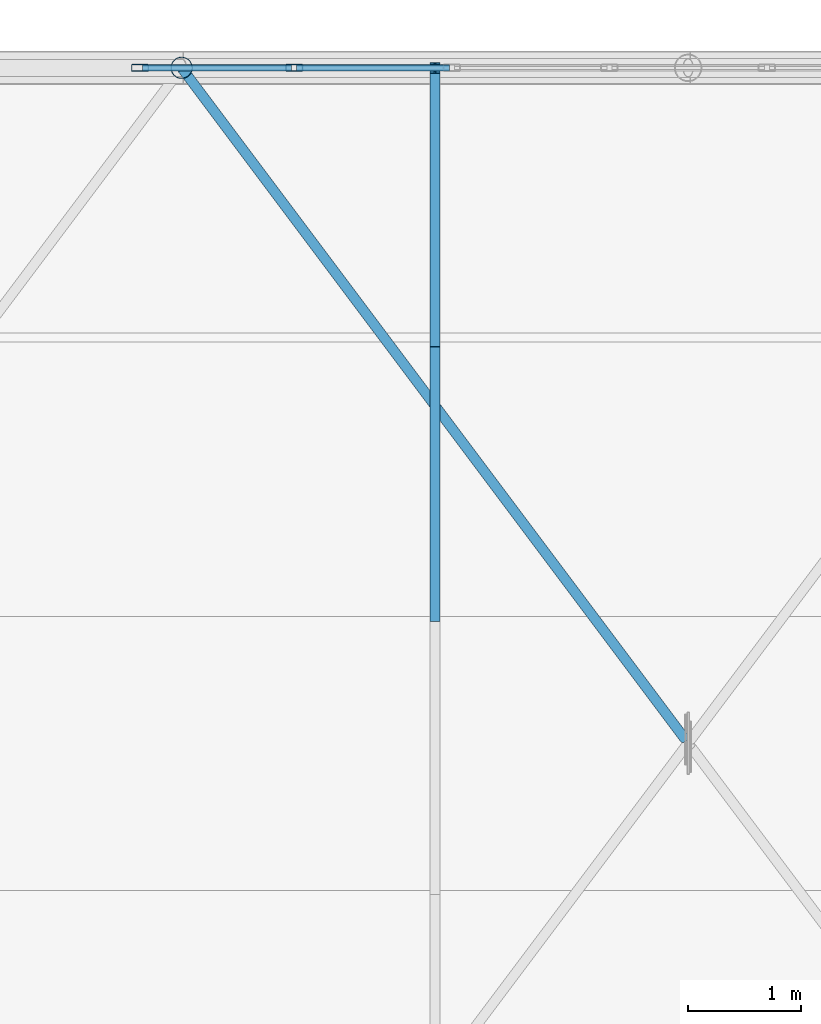
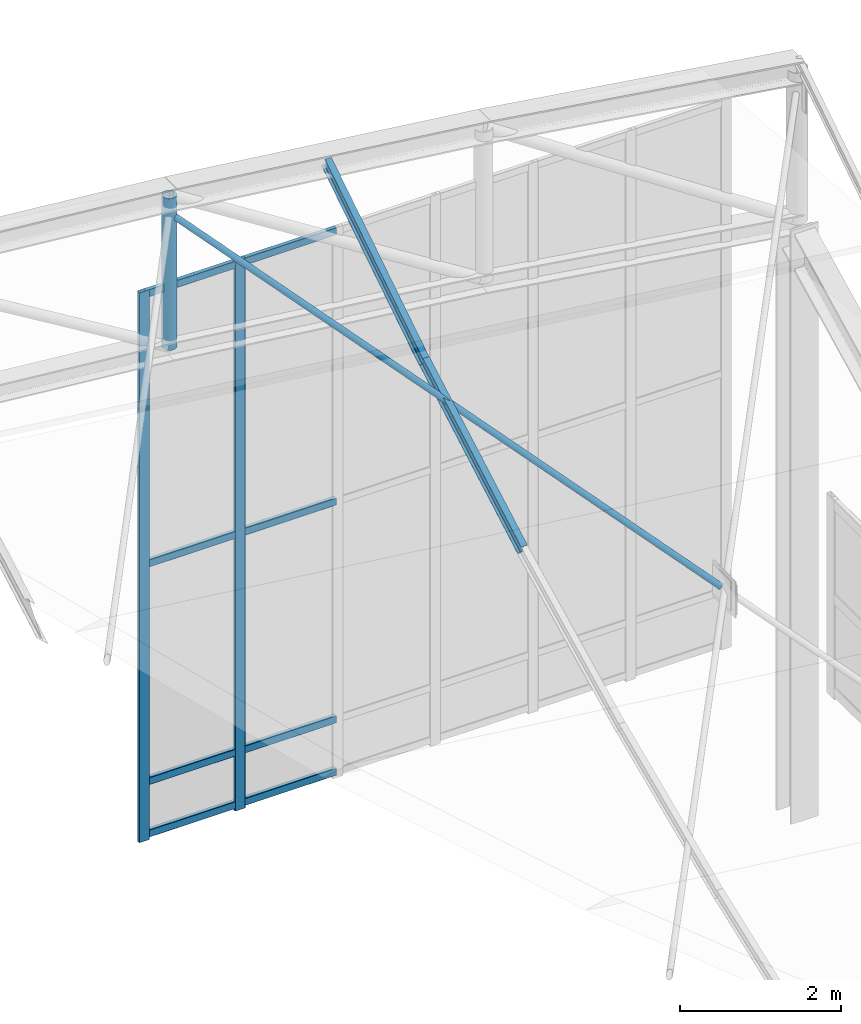
# One storey, part 200 of 262: 14 members, 1 element without a shape of its own.
"""IFC4 building model written with IfcOpenShell, lengths in metres."""

from ifc_helpers import new_model, si_unit, derived_unit, direction, frame, origin, origin_2d, place, context, subcontext, project, spatial, hollow_rectangle, hollow_circle, i_section, extrude, material, layer, layer_set, material_profile, profile_set, type_object, element, aggregate, save


model = new_model("IFC4")

# Units and contexts
model_context = context("Model", 3, precision=1e-05, world=origin(), true_north=direction((0.0, 1.0)))
body_context = subcontext(model_context, "Body", "Model", "MODEL_VIEW")
ifc_project = project(units=[si_unit("LENGTHUNIT", "METRE"), si_unit("AREAUNIT", "SQUARE_METRE"), si_unit("VOLUMEUNIT", "CUBIC_METRE"), si_unit("PLANEANGLEUNIT", "RADIAN"), si_unit("MASSUNIT", "GRAM", prefix="KILO"), derived_unit("THERMALTRANSMITTANCEUNIT", [(si_unit("POWERUNIT", "WATT"), 1), (si_unit("LENGTHUNIT", "METRE"), -2), (si_unit("THERMODYNAMICTEMPERATUREUNIT", "KELVIN"), -1)])], contexts=[model_context])

# Site, building, storey
site_placement = place(None, origin())
site = spatial("IfcSite", under=ifc_project, at=site_placement, CompositionType="ELEMENT")
building_placement = place(site_placement, origin())
building = spatial("IfcBuilding", under=site, at=building_placement, Name="Almenara Railside Exhibition Hall", CompositionType="ELEMENT")
storey_placement = place(building_placement, frame((0.0, 0.0, 21.699951171875)))
storey = spatial("IfcBuildingStorey", under=building, at=storey_placement, Name="RF", CompositionType="ELEMENT", Elevation=21.699951171875)

# Member
ifc_material_1 = material(Name="Structural steel S355JR", Category="steel")
ifc_material_profile_1 = material_profile(ifc_material_1, hollow_circle(Radius=0.04443359375, WallThickness=0.00390625, at=origin_2d()), Name="CHS 88.9x4")
ifc_profile_set_1 = profile_set([ifc_material_profile_1], Name="Structural steel S355JR")
member_type_1 = type_object("IfcMemberType", Name="Canopy Tie Brace CHS 88.9x4 S355JR", PredefinedType="BRACE", material=ifc_profile_set_1)
member_1_placement = place(storey_placement, frame((61.473876953125, 126.034912109375, 6.222900390625), z_axis=(-0.539774840457, 0.719689968725, 0.436680055104), x_axis=(-0.79999607089, -0.600005238778, 0.0)))
element("IfcMember", 1, at=member_1_placement, inside=storey, type_object=member_type_1, Name="MEM-WB-V1-WB-CHS89-06-10-S2", PredefinedType="BRACE", context=body_context, shape_type="SweptSolid", body=[
    extrude(hollow_circle(Radius=0.04443359375, WallThickness=0.00390625, at=origin_2d()), origin(), (0.0, 0.0, 1.0), 8.288330078125),
])

# Curtain wall, members
ifc_material_2 = material(Name="Bronze-anodised aluminium and low-E double glazing", Category="aluminium")
ifc_layer = layer(ifc_material_2, 0.179931640625, Name="Bronze-anodised aluminium and low-E double glazing")
ifc_layer_set = layer_set([ifc_layer], Name="Bronze-anodised aluminium and low-E double glazing")
curtain_wall_type = type_object("IfcCurtainWallType", Name="Scroll Gable Tall Curtain Wall 3800x5400", PredefinedType="NOTDEFINED", material=ifc_layer_set)
curtain_wall_placement = place(storey_placement, origin())
curtain_wall = element("IfcCurtainWall", 2, at=curtain_wall_placement, inside=storey, type_object=curtain_wall_type, Name="Curtain wall CW-G1-206", PredefinedType="NOTDEFINED")
ifc_material_3 = material(Name="Bronze-anodised aluminium", Category="aluminium")
ifc_material_profile_2 = material_profile(ifc_material_3, hollow_rectangle(XDim=0.06005859375, YDim=0.14990234375, WallThickness=0.00341796875, InnerFilletRadius=0.00341796875, OuterFilletRadius=0.007080078125, at=origin_2d()), Name="ALU-MUL 60x150x3.5")
ifc_profile_set_2 = profile_set([ifc_material_profile_2], Name="Bronze-anodised aluminium")
member_type_2 = type_object("IfcMemberType", Name="Curtain Wall Mullion 60x150x3.5", PredefinedType="MULLION", material=ifc_profile_set_2)
member_2_placement = place(storey_placement, frame((56.6298828125, 132.0, 0.465087890625), z_axis=(0.0, 0.0, 1.0), x_axis=(0.0, 1.0, 0.0)))
member_2 = element("IfcMember", 3, at=member_2_placement, type_object=member_type_2, Name="CW-G1-206 mullion 1", PredefinedType="MULLION", context=body_context, shape_type="SweptSolid", body=[
    extrude(hollow_rectangle(XDim=0.06005859375, YDim=0.14990234375, WallThickness=0.00341796875, InnerFilletRadius=0.00341796875, OuterFilletRadius=0.007080078125, at=origin_2d()), origin(), (0.0, 0.0, 1.0), 8.3349609375),
])
member_3_placement = place(storey_placement, frame((58.0, 132.0, 0.465087890625), z_axis=(0.0, 0.0, 1.0), x_axis=(0.0, 1.0, 0.0)))
member_3 = element("IfcMember", 4, at=member_3_placement, type_object=member_type_2, Name="CW-G1-206 mullion 2", PredefinedType="MULLION", context=body_context, shape_type="SweptSolid", body=[
    extrude(hollow_rectangle(XDim=0.06005859375, YDim=0.14990234375, WallThickness=0.00341796875, InnerFilletRadius=0.00341796875, OuterFilletRadius=0.007080078125, at=origin_2d()), origin(), (0.0, 0.0, 1.0), 8.3349609375),
])
ifc_material_profile_3 = material_profile(ifc_material_3, hollow_rectangle(XDim=0.06005859375, YDim=0.110107421875, WallThickness=0.0029296875, InnerFilletRadius=0.0029296875, OuterFilletRadius=0.006103515625, at=origin_2d()), Name="ALU-TRN 60x110x3")
ifc_profile_set_3 = profile_set([ifc_material_profile_3], Name="Bronze-anodised aluminium")
member_type_3 = type_object("IfcMemberType", Name="Curtain Wall Transom 60x110x3", PredefinedType="USERDEFINED", material=ifc_profile_set_3)
member_4_placement = place(storey_placement, frame((56.652099609375, 132.0, 0.554931640625), z_axis=(1.0, 0.0, 0.0), x_axis=(0.0, 1.0, 0.0)))
member_4 = element("IfcMember", 5, at=member_4_placement, type_object=member_type_3, Name="CW-G1-206 transom 1.1", ObjectType="TRANSOM", PredefinedType="USERDEFINED", context=body_context, shape_type="SweptSolid", body=[
    extrude(hollow_rectangle(XDim=0.06005859375, YDim=0.110107421875, WallThickness=0.0029296875, InnerFilletRadius=0.0029296875, OuterFilletRadius=0.006103515625, at=origin_2d()), origin(), (0.0, 0.0, 1.0), 1.325927734375),
])
member_5_placement = place(storey_placement, frame((56.652099609375, 132.0, 1.35009765625), z_axis=(1.0, 0.0, 0.0), x_axis=(0.0, 1.0, 0.0)))
member_5 = element("IfcMember", 6, at=member_5_placement, type_object=member_type_3, Name="CW-G1-206 transom 1.2", ObjectType="TRANSOM", PredefinedType="USERDEFINED", context=body_context, shape_type="SweptSolid", body=[
    extrude(hollow_rectangle(XDim=0.06005859375, YDim=0.110107421875, WallThickness=0.0029296875, InnerFilletRadius=0.0029296875, OuterFilletRadius=0.006103515625, at=origin_2d()), origin(), (0.0, 0.0, 1.0), 1.325927734375),
])
member_6_placement = place(storey_placement, frame((56.652099609375, 132.0, 4.650146484375), z_axis=(1.0, 0.0, 0.0), x_axis=(0.0, 1.0, 0.0)))
member_6 = element("IfcMember", 7, at=member_6_placement, type_object=member_type_3, Name="CW-G1-206 transom 1.3", ObjectType="TRANSOM", PredefinedType="USERDEFINED", context=body_context, shape_type="SweptSolid", body=[
    extrude(hollow_rectangle(XDim=0.06005859375, YDim=0.110107421875, WallThickness=0.0029296875, InnerFilletRadius=0.0029296875, OuterFilletRadius=0.006103515625, at=origin_2d()), origin(), (0.0, 0.0, 1.0), 1.325927734375),
])
member_7_placement = place(storey_placement, frame((56.652099609375, 132.0, 8.7451171875), z_axis=(1.0, 0.0, 0.0), x_axis=(0.0, 1.0, 0.0)))
member_7 = element("IfcMember", 8, at=member_7_placement, type_object=member_type_3, Name="CW-G1-206 transom 1.4", ObjectType="TRANSOM", PredefinedType="USERDEFINED", context=body_context, shape_type="SweptSolid", body=[
    extrude(hollow_rectangle(XDim=0.06005859375, YDim=0.110107421875, WallThickness=0.0029296875, InnerFilletRadius=0.0029296875, OuterFilletRadius=0.006103515625, at=origin_2d()), origin(), (0.0, 0.0, 1.0), 1.325927734375),
])
member_8_placement = place(storey_placement, frame((58.02197265625, 132.0, 0.554931640625), z_axis=(1.0, 0.0, 0.0), x_axis=(0.0, 1.0, 0.0)))
member_8 = element("IfcMember", 9, at=member_8_placement, type_object=member_type_3, Name="CW-G1-206 transom 2.1", ObjectType="TRANSOM", PredefinedType="USERDEFINED", context=body_context, shape_type="SweptSolid", body=[
    extrude(hollow_rectangle(XDim=0.06005859375, YDim=0.110107421875, WallThickness=0.0029296875, InnerFilletRadius=0.0029296875, OuterFilletRadius=0.006103515625, at=origin_2d()), origin(), (0.0, 0.0, 1.0), 1.35595703125),
])
member_9_placement = place(storey_placement, frame((58.02197265625, 132.0, 1.35009765625), z_axis=(1.0, 0.0, 0.0), x_axis=(0.0, 1.0, 0.0)))
member_9 = element("IfcMember", 10, at=member_9_placement, type_object=member_type_3, Name="CW-G1-206 transom 2.2", ObjectType="TRANSOM", PredefinedType="USERDEFINED", context=body_context, shape_type="SweptSolid", body=[
    extrude(hollow_rectangle(XDim=0.06005859375, YDim=0.110107421875, WallThickness=0.0029296875, InnerFilletRadius=0.0029296875, OuterFilletRadius=0.006103515625, at=origin_2d()), origin(), (0.0, 0.0, 1.0), 1.35595703125),
])
member_10_placement = place(storey_placement, frame((58.02197265625, 132.0, 4.650146484375), z_axis=(1.0, 0.0, 0.0), x_axis=(0.0, 1.0, 0.0)))
member_10 = element("IfcMember", 11, at=member_10_placement, type_object=member_type_3, Name="CW-G1-206 transom 2.3", ObjectType="TRANSOM", PredefinedType="USERDEFINED", context=body_context, shape_type="SweptSolid", body=[
    extrude(hollow_rectangle(XDim=0.06005859375, YDim=0.110107421875, WallThickness=0.0029296875, InnerFilletRadius=0.0029296875, OuterFilletRadius=0.006103515625, at=origin_2d()), origin(), (0.0, 0.0, 1.0), 1.35595703125),
])
member_11_placement = place(storey_placement, frame((58.02197265625, 132.0, 8.7451171875), z_axis=(1.0, 0.0, 0.0), x_axis=(0.0, 1.0, 0.0)))
member_11 = element("IfcMember", 12, at=member_11_placement, type_object=member_type_3, Name="CW-G1-206 transom 2.4", ObjectType="TRANSOM", PredefinedType="USERDEFINED", context=body_context, shape_type="SweptSolid", body=[
    extrude(hollow_rectangle(XDim=0.06005859375, YDim=0.110107421875, WallThickness=0.0029296875, InnerFilletRadius=0.0029296875, OuterFilletRadius=0.006103515625, at=origin_2d()), origin(), (0.0, 0.0, 1.0), 1.35595703125),
])
aggregate(curtain_wall, [member_2, member_3, member_4, member_5, member_6, member_7, member_8, member_9, member_10, member_11])

# Members
ifc_material_profile_4 = material_profile(ifc_material_1, i_section(OverallWidth=0.091064453125, OverallDepth=0.179931640625, WebThickness=0.00537109375, FlangeThickness=0.008056640625, FilletRadius=0.009033203125, at=origin_2d()), Name="IPE 180")
ifc_profile_set_4 = profile_set([ifc_material_profile_4], Name="Structural steel S355JR")
member_type_4 = type_object("IfcMemberType", Name="Plenary Roof Purlin IPE 180 S355JR", PredefinedType="PURLIN", material=ifc_profile_set_4)
member_12_placement = place(storey_placement, frame((59.25, 127.126708984375, 6.908935546875), z_axis=(0.0, 0.870445855666, 0.492264169277), x_axis=(-1.0, 0.0, 0.0)))
element("IfcMember", 13, at=member_12_placement, inside=storey, type_object=member_type_4, Name="MEM-PR-V1-PR-IPE180-07-26", PredefinedType="PURLIN", context=body_context, shape_type="SweptSolid", body=[
    extrude(i_section(OverallWidth=0.091064453125, OverallDepth=0.179931640625, WebThickness=0.00537109375, FlangeThickness=0.008056640625, FilletRadius=0.009033203125, at=origin_2d()), origin(), (0.0, 0.0, 1.0), 2.799072265625),
])
member_13_placement = place(storey_placement, frame((59.25, 129.563232421875, 8.2763671875), z_axis=(0.0, 0.842265270347, 0.53906327492), x_axis=(-1.0, 0.0, 0.0)))
element("IfcMember", 14, at=member_13_placement, inside=storey, type_object=member_type_4, Name="MEM-PR-V1-PR-IPE180-07-27", PredefinedType="PURLIN", context=body_context, shape_type="SweptSolid", body=[
    extrude(i_section(OverallWidth=0.091064453125, OverallDepth=0.179931640625, WebThickness=0.00537109375, FlangeThickness=0.008056640625, FilletRadius=0.009033203125, at=origin_2d()), origin(), (0.0, 0.0, 1.0), 2.89306640625),
])
ifc_material_profile_5 = material_profile(ifc_material_1, hollow_circle(Radius=0.096923828125, WallThickness=0.00634765625, at=origin_2d()), Name="CHS 193.7x6.3")
ifc_profile_set_5 = profile_set([ifc_material_profile_5], Name="Structural steel S355JR")
member_type_5 = type_object("IfcMemberType", Name="Truss Standard Vertical Strut CHS 193.7x6.3 S355JR", PredefinedType="BRACE", material=ifc_profile_set_5)
member_14_placement = place(storey_placement, frame((57.0, 132.0, 7.822265625), z_axis=(0.0, 0.0, 1.0), x_axis=(1.0, 0.0, 0.0)))
element("IfcMember", 15, at=member_14_placement, inside=storey, type_object=member_type_5, Name="MEM-TV-V1-07-10", PredefinedType="BRACE", context=body_context, shape_type="SweptSolid", body=[
    extrude(hollow_circle(Radius=0.096923828125, WallThickness=0.00634765625, at=origin_2d()), origin(), (0.0, 0.0, 1.0), 2.300048828125),
])

save(model, "model.ifc")
